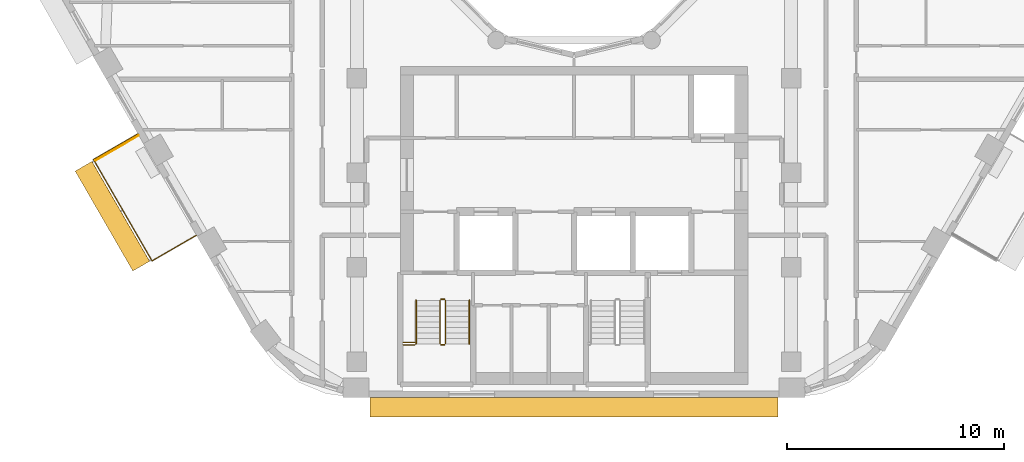
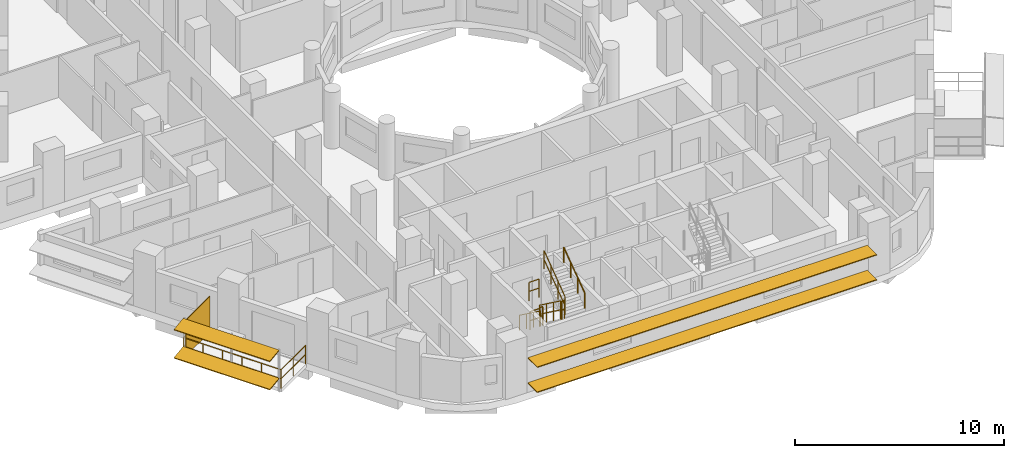
# One storey, part 14 of 18: 9 railings, 5 shading devices.
"""IFC4 building model written with IfcOpenShell, lengths in metres."""

import ifcopenshell
import ifcopenshell.guid

model = None  # the IFC model being written
_history = None  # IfcOwnerHistory: only IFC2X3 demands one
_inside = {}  # id of a spatial element -> (the spatial element, [elements in it])
_under = {}  # id of a project, library or spatial element -> (it, [spatial elements below it])
_declared = {}  # id of a project -> (the project, [libraries it declares])
_typed = {}  # id of a type object -> (the type object, [elements of that type])
_made_of = {}  # id of a material, layer set ... -> (it, [elements and type objects made of it])


def new_model(schema):
    """Start an empty IFC model of exactly this schema.

    Asked for "IFC4X3", IfcOpenShell would pick the latest addendum, in which some entities
    have other attributes; the version numbers below select the first issue.
    IFC2X3 requires an IfcOwnerHistory on every rooted entity: one is made here for all.
    """
    global model, _history
    if schema == "IFC4X3":
        model = ifcopenshell.file(schema_version=(4, 3, 0, 0))
    else:
        model = ifcopenshell.file(schema=schema)
    _inside.clear()
    _under.clear()
    _declared.clear()
    _typed.clear()
    _made_of.clear()
    _history = None
    if model.schema == "IFC2X3":
        org = make("IfcOrganization", Name="unknown")
        user = make(
            "IfcPersonAndOrganization",
            ThePerson=make("IfcPerson", FamilyName="unknown"),
            TheOrganization=org,
        )
        app = make(
            "IfcApplication",
            ApplicationDeveloper=org,
            Version="unknown",
            ApplicationFullName="unknown",
            ApplicationIdentifier="unknown",
        )
        _history = make(
            "IfcOwnerHistory",
            OwningUser=user,
            OwningApplication=app,
            ChangeAction="ADDED",
            CreationDate=0,
        )
    return model


def make(cls, **values):
    """One entity of the class cls with the attributes given. An attribute that is None is left unset."""
    return model.create_entity(
        cls, **{name: value for name, value in values.items() if value is not None}
    )


def rooted(cls, **values):
    """An entity with a GlobalId (a new one), such as an element, a storey or a relation."""
    return make(cls, GlobalId=ifcopenshell.guid.new(), OwnerHistory=_history, **values)


def si_unit(unit_type, name, prefix=None):
    """IfcSIUnit, for example si_unit("LENGTHUNIT", "METRE", prefix="MILLI")."""
    return make("IfcSIUnit", UnitType=unit_type, Prefix=prefix, Name=name)


def assignment(units):
    """IfcUnitAssignment: the units of a project."""
    return None if units is None else make("IfcUnitAssignment", Units=units)


def point(xyz):
    """IfcCartesianPoint."""
    return None if xyz is None else make("IfcCartesianPoint", Coordinates=xyz)


def direction(xyz):
    """IfcDirection."""
    return None if xyz is None else make("IfcDirection", DirectionRatios=xyz)


def frame(location, z_axis=None, x_axis=None):
    """IfcAxis2Placement3D, a coordinate frame: its origin and axes. An axis left out is left unset."""
    return make(
        "IfcAxis2Placement3D",
        Location=point(location),
        Axis=direction(z_axis),
        RefDirection=direction(x_axis),
    )


def frame_2d(location, x_axis=None):
    """IfcAxis2Placement2D, a coordinate frame in the plane: its origin and x axis."""
    return make(
        "IfcAxis2Placement2D", Location=point(location), RefDirection=direction(x_axis)
    )


def origin():
    """The frame at (0, 0, 0) with its axes left unset."""
    return frame((0.0, 0.0, 0.0))


def origin_2d():
    """The frame at (0, 0) in the plane with its x axis left unset."""
    return frame_2d((0.0, 0.0))


def place(relative_to, where):
    """IfcLocalPlacement: puts the frame where relative to a parent placement (None: the world)."""
    return make(
        "IfcLocalPlacement", PlacementRelTo=relative_to, RelativePlacement=where
    )


def context(
    kind, dimensions, precision=None, world=None, true_north=None, identifier=None
):
    """IfcGeometricRepresentationContext, for example the 3D "Model" context."""
    return make(
        "IfcGeometricRepresentationContext",
        ContextIdentifier=identifier,
        ContextType=kind,
        CoordinateSpaceDimension=dimensions,
        Precision=precision,
        WorldCoordinateSystem=world,
        TrueNorth=true_north,
    )


def subcontext(parent, identifier, kind, view, scale=None):
    """IfcGeometricRepresentationSubContext, for example "Body" below "Model"."""
    return make(
        "IfcGeometricRepresentationSubContext",
        ContextIdentifier=identifier,
        ContextType=kind,
        ParentContext=parent,
        TargetScale=scale,
        TargetView=view,
    )


def project(units=None, contexts=None):
    """IfcProject with its units and contexts."""
    return rooted(
        "IfcProject",
        Name="project",
        RepresentationContexts=contexts,
        UnitsInContext=assignment(units),
    )


def spatial(cls, under=None, at=None, **own):
    """A site, building, storey or space (cls), placed at a placement, below another one or the project."""
    s = rooted(cls, ObjectPlacement=at, **own)
    if under is not None:
        _under.setdefault(under.id(), (under, []))[1].append(s)
    return s


def profile(cls, at=None, kind="AREA", **sizes):
    """A parametric profile (cls). Its sizes go by their IFC names, for example OverallWidth=200.0."""
    return make(cls, ProfileType=kind, Position=at, **sizes)


def rectangle(**sizes):
    """IfcRectangleProfileDef."""
    return profile("IfcRectangleProfileDef", **sizes)


def circle(**sizes):
    """IfcCircleProfileDef."""
    return profile("IfcCircleProfileDef", **sizes)


def extrude(swept, where, along, depth):
    """IfcExtrudedAreaSolid: the profile swept, set in the frame where, extruded along a direction by depth."""
    return make(
        "IfcExtrudedAreaSolid",
        SweptArea=swept,
        Position=where,
        ExtrudedDirection=direction(along),
        Depth=depth,
    )


def shape(context_of_items, identifier, shape_type, items):
    """IfcShapeRepresentation: the items that make up one representation, for example the "Body"."""
    return make(
        "IfcShapeRepresentation",
        ContextOfItems=context_of_items,
        RepresentationIdentifier=identifier,
        RepresentationType=shape_type,
        Items=items,
    )


def material(Name=None, Category=None):
    """IfcMaterial."""
    return make("IfcMaterial", Name=Name, Category=Category)


def layer(
    of_material, thickness, ventilated=None, Name=None, Category=None, Priority=None
):
    """IfcMaterialLayer: one layer of a wall or slab, of a material (None: an air gap)."""
    return make(
        "IfcMaterialLayer",
        Material=of_material,
        LayerThickness=thickness,
        IsVentilated=ventilated,
        Name=Name,
        Category=Category,
        Priority=Priority,
    )


def layer_set(layers, Name=None):
    """IfcMaterialLayerSet."""
    return make("IfcMaterialLayerSet", MaterialLayers=layers, LayerSetName=Name)


def material_profile(
    of_material, cross_section, Name=None, Category=None, Priority=None
):
    """IfcMaterialProfile: a cross section and its material."""
    return make(
        "IfcMaterialProfile",
        Name=Name,
        Material=of_material,
        Profile=cross_section,
        Priority=Priority,
        Category=Category,
    )


def profile_set(profiles, Name=None, composite=None):
    """IfcMaterialProfileSet."""
    return make(
        "IfcMaterialProfileSet",
        Name=Name,
        MaterialProfiles=profiles,
        CompositeProfile=composite,
    )


def made_of(thing, what):
    """Note that an element or type object is made of a material, layer set ...; save() writes the relation."""
    if what is not None:
        _made_of.setdefault(what.id(), (what, []))[1].append(thing)
    return thing


def type_object(cls, material=None, **own):
    """A type object (cls), such as IfcWallType, which elements share."""
    return made_of(rooted(cls, **own), material)


def element(
    cls,
    number,
    at=None,
    inside=None,
    cuts=None,
    type_object=None,
    material=None,
    context=None,
    identifier="Body",
    shape_type=None,
    held_by="IfcProductDefinitionShape",
    body=None,
    shapes=None,
    **own,
):
    """One element of the class cls, such as IfcWall. Its Tag is "e" and its number.

    at: its placement. inside: the storey or other place that contains it. cuts: it is an
    opening in that element (IfcRelVoidsElement). A single representation is given by context,
    identifier, shape_type and body (its items); several are given by shapes. held_by: the class
    of the entity that holds the representations. save() writes the other relations.
    """
    e = rooted(cls, Tag="e%d" % number, ObjectPlacement=at, **own)
    if body is not None:
        shapes = [shape(context, identifier, shape_type, body)]
    if shapes is not None:
        e.Representation = make(held_by, Representations=shapes)
    if inside is not None:
        _inside.setdefault(inside.id(), (inside, []))[1].append(e)
    if cuts is not None:
        rooted(
            "IfcRelVoidsElement", RelatingBuildingElement=cuts, RelatedOpeningElement=e
        )
    if type_object is not None:
        _typed.setdefault(type_object.id(), (type_object, []))[1].append(e)
    return made_of(e, material)


def aggregate(whole, parts):
    """IfcRelAggregates: a whole, such as a stair, and the parts it consists of."""
    return rooted("IfcRelAggregates", RelatingObject=whole, RelatedObjects=parts)


def save(model, path):
    """Write the relations noted so far, then the file.

    IfcRelAggregates (storeys below a building ...), IfcRelContainedInSpatialStructure (elements
    in a storey), IfcRelDefinesByType, IfcRelAssociatesMaterial and IfcRelDeclares: one each for
    every whole, place, type object, material and project.
    """
    for whole, parts in _under.values():
        aggregate(whole, parts)
    for where, things in _inside.values():
        rooted(
            "IfcRelContainedInSpatialStructure",
            RelatedElements=things,
            RelatingStructure=where,
        )
    for kind, things in _typed.values():
        rooted("IfcRelDefinesByType", RelatedObjects=things, RelatingType=kind)
    for what, things in _made_of.values():
        rooted("IfcRelAssociatesMaterial", RelatedObjects=things, RelatingMaterial=what)
    for by, libraries in _declared.values():
        rooted("IfcRelDeclares", RelatingContext=by, RelatedDefinitions=libraries)
    model.write(path)


model = new_model("IFC4")

# Units and contexts
model_context = context("Model", 3, precision=1e-05, world=origin(), true_north=direction((0.0, 1.0)))
body_context = subcontext(model_context, "Body", "Model", "MODEL_VIEW")
ifc_project = project(units=[si_unit("LENGTHUNIT", "METRE"), si_unit("AREAUNIT", "SQUARE_METRE"), si_unit("VOLUMEUNIT", "CUBIC_METRE"), si_unit("PLANEANGLEUNIT", "RADIAN"), si_unit("MASSUNIT", "GRAM", prefix="KILO")], contexts=[model_context])

# Site, building, storey
site_placement = place(None, origin())
site = spatial("IfcSite", under=ifc_project, at=site_placement, CompositionType="ELEMENT")
building_placement = place(site_placement, origin())
building = spatial("IfcBuilding", under=site, at=building_placement, Name="Nakaniwa Court", CompositionType="ELEMENT")
storey_placement = place(building_placement, frame((0.0, 0.0, 176.699951171875)))
storey = spatial("IfcBuildingStorey", under=building, at=storey_placement, Name="L45", CompositionType="ELEMENT", Elevation=176.699951171875)

# Railing
ifc_material_1 = material(Name="Black powder-coated steel flat bar balustrade S275", Category="steel")
railing_type_1 = type_object("IfcRailingType", Name="Black metal balcony guard 1100", PredefinedType="GUARDRAIL", material=ifc_material_1)
railing_1_placement = place(storey_placement, frame((59.913818359375, 69.490234375, -0.050048828125)))
element("IfcRailing", 1, at=railing_1_placement, inside=storey, type_object=railing_type_1, Name="L45 balcony guard 01", PredefinedType="GUARDRAIL", context=body_context, shape_type="SweptSolid", body=[
    extrude(circle(Radius=0.02392578125, at=origin_2d()), frame((0.0, 0.0, 1.076171875), z_axis=(-0.866025363618, -0.50000006957, 0.0), x_axis=(0.50000006957, -0.866025363618, 0.0)), (0.0, 0.0, 1.0), 2.35986328125),
    extrude(circle(Radius=0.02392578125, at=origin_2d()), frame((0.0, 0.0, 0.550048828125), z_axis=(-0.866025363618, -0.50000006957, 0.0), x_axis=(0.50000006957, -0.866025363618, 0.0)), (0.0, 0.0, 1.0), 2.35986328125),
    extrude(circle(Radius=0.02392578125, at=origin_2d()), frame((-2.043701171875, -1.179931640625, 1.076171875), z_axis=(0.499982522799, -0.866035494016, 0.0), x_axis=(0.866035494016, 0.499982522799, 0.0)), (0.0, 0.0, 1.0), 5.390380859375),
    extrude(circle(Radius=0.02392578125, at=origin_2d()), frame((-2.043701171875, -1.179931640625, 0.550048828125), z_axis=(0.499982522799, -0.866035494016, 0.0), x_axis=(0.866035494016, 0.499982522799, 0.0)), (0.0, 0.0, 1.0), 5.390380859375),
    extrude(circle(Radius=0.02392578125, at=origin_2d()), frame((0.6513671875, -5.84814453125, 1.076171875), z_axis=(0.866051224006, 0.499955275397, 0.0), x_axis=(-0.499955275397, 0.866051224006, 0.0)), (0.0, 0.0, 1.0), 2.360107421875),
    extrude(circle(Radius=0.02392578125, at=origin_2d()), frame((0.6513671875, -5.84814453125, 0.550048828125), z_axis=(0.866051224006, 0.499955275397, 0.0), x_axis=(-0.499955275397, 0.866051224006, 0.0)), (0.0, 0.0, 1.0), 2.360107421875),
    extrude(circle(Radius=0.02099609375, at=origin_2d()), origin(), (0.0, 0.0, 1.0), 1.052001953125),
    extrude(circle(Radius=0.02099609375, at=origin_2d()), frame((-1.02197265625, -0.58984375, 0.0)), (0.0, 0.0, 1.0), 1.052001953125),
    extrude(circle(Radius=0.02099609375, at=origin_2d()), frame((-2.043701171875, -1.179931640625, 0.0)), (0.0, 0.0, 1.0), 1.052001953125),
    extrude(circle(Radius=0.02099609375, at=origin_2d()), frame((-1.504638671875, -2.113525390625, 0.0)), (0.0, 0.0, 1.0), 1.052001953125),
    extrude(circle(Radius=0.02099609375, at=origin_2d()), frame((-0.965576171875, -3.047119140625, 0.0)), (0.0, 0.0, 1.0), 1.052001953125),
    extrude(circle(Radius=0.02099609375, at=origin_2d()), frame((-0.4267578125, -3.98095703125, 0.0)), (0.0, 0.0, 1.0), 1.052001953125),
    extrude(circle(Radius=0.02099609375, at=origin_2d()), frame((0.1123046875, -4.91455078125, 0.0)), (0.0, 0.0, 1.0), 1.052001953125),
    extrude(circle(Radius=0.02099609375, at=origin_2d()), frame((0.6513671875, -5.84814453125, 0.0)), (0.0, 0.0, 1.0), 1.052001953125),
    extrude(circle(Radius=0.02099609375, at=origin_2d()), frame((1.67333984375, -5.25830078125, 0.0)), (0.0, 0.0, 1.0), 1.052001953125),
    extrude(circle(Radius=0.02099609375, at=origin_2d()), frame((2.6953125, -4.668212890625, 0.0)), (0.0, 0.0, 1.0), 1.052001953125),
])

# Shading devices
ifc_material_2 = material(Name="Black powder-coated aluminium slat screen", Category="aluminium")
ifc_layer = layer(ifc_material_2, 0.0400390625)
ifc_layer_set = layer_set([ifc_layer], Name="Black powder-coated aluminium slat screen")
shading_device_type_1 = type_object("IfcShadingDeviceType", Name="Koshi screen black metal", PredefinedType="USERDEFINED", material=ifc_layer_set)
shading_device_placement = place(storey_placement, frame((58.95361328125, 68.843505859375, -0.050048828125), z_axis=(0.0, 0.0, 1.0), x_axis=(0.500016626402, -0.866015804314, 0.0)))
element("IfcShadingDevice", 2, at=shading_device_placement, inside=storey, type_object=shading_device_type_1, Name="L45 balcony SCREEN 01 W", ObjectType="KOSHI SCREEN", PredefinedType="USERDEFINED", context=body_context, shape_type="SweptSolid", body=[
    extrude(rectangle(XDim=0.0400390625, YDim=2.31005859375, at=origin_2d()), origin(), (0.0, 0.0, 1.0), 2.10009765625),
])
ifc_material_3 = material(Name="Perforated charcoal ceramic louvre blade")
ifc_material_profile = material_profile(ifc_material_3, rectangle(XDim=0.89990234375, YDim=0.050048828125, at=origin_2d()), Name="Perforated ceramic louvre blade")
ifc_profile_set = profile_set([ifc_material_profile], Name="Perforated charcoal ceramic louvre blade")
shading_device_type_2 = type_object("IfcShadingDeviceType", Name="Perforated ceramic louvre blade", PredefinedType="JALOUSIE", material=ifc_profile_set)
for number, where, z_axis, x_axis, name in (
    (3, (57.414306640625, 68.0009765625, 0.5), (0.49999571177, -0.866027879581, 0.0), (0.858618891017, 0.495718179143, 0.13052619222), "L45 perforated ceramic louvre blade 01 1"),
    (4, (57.414306640625, 68.0009765625, 2.150146484375), (0.49999571177, -0.866027879581, 0.0), (0.858618891017, 0.495718179143, 0.13052619222), "L45 perforated ceramic louvre blade 01 2"),
):
    element("IfcShadingDevice", number, at=place(storey_placement, frame(where, z_axis=z_axis, x_axis=x_axis)), inside=storey, type_object=shading_device_type_2, Name=name, PredefinedType="JALOUSIE", context=body_context, shape_type="SweptSolid", body=[
        extrude(rectangle(XDim=0.89990234375, YDim=0.050048828125, at=origin_2d()), origin(), (0.0, 0.0, 1.0), 5.310546875),
    ])
for number, where, z_axis, x_axis, name in (
    (5, (70.6005859375, 56.89990234375, 0.550048828125), (1.0, 0.0, 0.0), (0.0, 1.0, 0.0), "L45 perforated ceramic louvre blade w26 1"),
    (6, (70.6005859375, 56.89990234375, 2.01513671875), (1.0, 0.0, 0.0), (0.0, 1.0, 0.0), "L45 perforated ceramic louvre blade w26 2"),
):
    element("IfcShadingDevice", number, at=place(storey_placement, frame(where, z_axis=z_axis, x_axis=x_axis)), inside=storey, type_object=shading_device_type_2, Name=name, PredefinedType="JALOUSIE", context=body_context, shape_type="SweptSolid", body=[
        extrude(rectangle(XDim=0.89990234375, YDim=0.050048828125, at=origin_2d()), origin(), (0.0, 0.0, 1.0), 18.79296875),
    ])

# Railings
ifc_material_4 = material(Name="Black powder coated steel guard", Category="steel")
railing_type_2 = type_object("IfcRailingType", Name="Stair guard 1100", PredefinedType="GUARDRAIL", material=ifc_material_4)
railing_2_placement = place(storey_placement, frame((73.824951171875, 61.824951171875, 0.183349609375)))
element("IfcRailing", 7, at=railing_2_placement, inside=storey, type_object=railing_type_2, Name="L45 ST3 stair guard 1", PredefinedType="GUARDRAIL", context=body_context, shape_type="SweptSolid", body=[
    extrude(circle(Radius=0.02392578125, at=origin_2d()), frame((0.0, 0.0, 1.076171875), z_axis=(0.0, -0.806379959628, 0.591397802423), x_axis=(1.0, 0.0, 0.0)), (0.0, 0.0, 1.0), 2.480224609375),
    extrude(circle(Radius=0.02392578125, at=origin_2d()), frame((0.0, 0.0, 0.550048828125), z_axis=(0.0, -0.806379959628, 0.591397802423), x_axis=(1.0, 0.0, 0.0)), (0.0, 0.0, 1.0), 2.480224609375),
    extrude(circle(Radius=0.02099609375, at=origin_2d()), origin(), (0.0, 0.0, 1.0), 1.052001953125),
    extrude(circle(Radius=0.02099609375, at=origin_2d()), frame((0.0, -0.666748046875, 0.489013671875)), (0.0, 0.0, 1.0), 1.052001953125),
    extrude(circle(Radius=0.02099609375, at=origin_2d()), frame((0.0, -1.333251953125, 0.977783203125)), (0.0, 0.0, 1.0), 1.052001953125),
    extrude(circle(Radius=0.02099609375, at=origin_2d()), frame((0.0, -2.0, 1.466796875)), (0.0, 0.0, 1.0), 1.052001953125),
])
railing_3_placement = place(storey_placement, frame((73.875, 59.77490234375, 1.650146484375)))
element("IfcRailing", 8, at=railing_3_placement, inside=storey, type_object=railing_type_2, Name="L45 ST3 stair guard 2", PredefinedType="GUARDRAIL", context=body_context, shape_type="SweptSolid", body=[
    extrude(circle(Radius=0.02392578125, at=origin_2d()), frame((0.0, 0.0, 1.076171875), z_axis=(1.0, 0.0, 0.0), x_axis=(0.0, 1.0, 0.0)), (0.0, 0.0, 1.0), 0.14990234375),
    extrude(circle(Radius=0.02392578125, at=origin_2d()), frame((0.0, 0.0, 0.550048828125), z_axis=(1.0, 0.0, 0.0), x_axis=(0.0, 1.0, 0.0)), (0.0, 0.0, 1.0), 0.14990234375),
    extrude(circle(Radius=0.02099609375, at=origin_2d()), origin(), (0.0, 0.0, 1.0), 1.052001953125),
    extrude(circle(Radius=0.02099609375, at=origin_2d()), frame((0.14990234375, 0.0, 0.0)), (0.0, 0.0, 1.0), 1.052001953125),
])
railing_4_placement = place(storey_placement, frame((74.074951171875, 59.824951171875, 1.83349609375)))
element("IfcRailing", 9, at=railing_4_placement, inside=storey, type_object=railing_type_2, Name="L45 ST3 stair guard 3", PredefinedType="GUARDRAIL", context=body_context, shape_type="SweptSolid", body=[
    extrude(circle(Radius=0.02392578125, at=origin_2d()), frame((0.0, 0.0, 1.076171875), z_axis=(0.0, 0.806426902644, 0.591333789573), x_axis=(-1.0, 0.0, 0.0)), (0.0, 0.0, 1.0), 2.47998046875),
    extrude(circle(Radius=0.02392578125, at=origin_2d()), frame((0.0, 0.0, 0.550048828125), z_axis=(0.0, 0.806426902644, 0.591333789573), x_axis=(-1.0, 0.0, 0.0)), (0.0, 0.0, 1.0), 2.47998046875),
    extrude(circle(Radius=0.02099609375, at=origin_2d()), origin(), (0.0, 0.0, 1.0), 1.052001953125),
    extrude(circle(Radius=0.02099609375, at=origin_2d()), frame((0.0, 0.666748046875, 0.48876953125)), (0.0, 0.0, 1.0), 1.052001953125),
    extrude(circle(Radius=0.02099609375, at=origin_2d()), frame((0.0, 1.333251953125, 0.977783203125)), (0.0, 0.0, 1.0), 1.052001953125),
    extrude(circle(Radius=0.02099609375, at=origin_2d()), frame((0.0, 2.0, 1.466552734375)), (0.0, 0.0, 1.0), 1.052001953125),
])
railing_5_placement = place(storey_placement, frame((73.875, 61.875, 0.0)))
element("IfcRailing", 10, at=railing_5_placement, inside=storey, type_object=railing_type_2, Name="L45 ST3 stair guard 4", PredefinedType="GUARDRAIL", context=body_context, shape_type="SweptSolid", body=[
    extrude(circle(Radius=0.02392578125, at=origin_2d()), frame((0.0, 0.0, 1.076171875), z_axis=(1.0, 0.0, 0.0), x_axis=(0.0, 1.0, 0.0)), (0.0, 0.0, 1.0), 0.14990234375),
    extrude(circle(Radius=0.02392578125, at=origin_2d()), frame((0.0, 0.0, 0.550048828125), z_axis=(1.0, 0.0, 0.0), x_axis=(0.0, 1.0, 0.0)), (0.0, 0.0, 1.0), 0.14990234375),
    extrude(circle(Radius=0.02099609375, at=origin_2d()), origin(), (0.0, 0.0, 1.0), 1.052001953125),
    extrude(circle(Radius=0.02099609375, at=origin_2d()), frame((0.14990234375, 0.0, 0.0)), (0.0, 0.0, 1.0), 1.052001953125),
])
for number, where, name in (
    (11, (72.125, 59.77490234375, 1.650146484375), "L45 ST3 landing side guard 1W"),
    (12, (72.125, 59.875, 3.300048828125), "L45 ST3 floor edge guard 1W"),
):
    element("IfcRailing", number, at=place(storey_placement, frame(where)), inside=storey, type_object=railing_type_2, Name=name, PredefinedType="GUARDRAIL", context=body_context, shape_type="SweptSolid", body=[
        extrude(circle(Radius=0.02392578125, at=origin_2d()), frame((0.0, 0.0, 1.076171875), z_axis=(1.0, 0.0, 0.0), x_axis=(0.0, 1.0, 0.0)), (0.0, 0.0, 1.0), 0.550048828125),
        extrude(circle(Radius=0.02392578125, at=origin_2d()), frame((0.0, 0.0, 0.550048828125), z_axis=(1.0, 0.0, 0.0), x_axis=(0.0, 1.0, 0.0)), (0.0, 0.0, 1.0), 0.550048828125),
        extrude(circle(Radius=0.02099609375, at=origin_2d()), origin(), (0.0, 0.0, 1.0), 1.052001953125),
        extrude(circle(Radius=0.02099609375, at=origin_2d()), frame((0.550048828125, 0.0, 0.0)), (0.0, 0.0, 1.0), 1.052001953125),
    ])
ifc_material_5 = material(Name="Black powder coated steel handrail", Category="steel")
railing_type_3 = type_object("IfcRailingType", Name="Stair handrail 900", PredefinedType="HANDRAIL", material=ifc_material_5)
railing_6_placement = place(storey_placement, frame((72.72509765625, 61.824951171875, 0.183349609375)))
element("IfcRailing", 13, at=railing_6_placement, inside=storey, type_object=railing_type_3, Name="L45 ST3 stair handrail 1", PredefinedType="HANDRAIL", context=body_context, shape_type="SweptSolid", body=[
    extrude(circle(Radius=0.02392578125, at=origin_2d()), frame((0.0, 0.0, 0.8759765625), z_axis=(0.0, -0.806379959628, 0.591397802423), x_axis=(1.0, 0.0, 0.0)), (0.0, 0.0, 1.0), 2.480224609375),
    extrude(circle(Radius=0.02099609375, at=origin_2d()), origin(), (0.0, 0.0, 1.0), 0.851806640625),
    extrude(circle(Radius=0.02099609375, at=origin_2d()), frame((0.0, -0.666748046875, 0.489013671875)), (0.0, 0.0, 1.0), 0.851806640625),
    extrude(circle(Radius=0.02099609375, at=origin_2d()), frame((0.0, -1.333251953125, 0.977783203125)), (0.0, 0.0, 1.0), 0.851806640625),
    extrude(circle(Radius=0.02099609375, at=origin_2d()), frame((0.0, -2.0, 1.466796875)), (0.0, 0.0, 1.0), 0.851806640625),
])
railing_7_placement = place(storey_placement, frame((75.175048828125, 59.824951171875, 1.83349609375)))
element("IfcRailing", 14, at=railing_7_placement, inside=storey, type_object=railing_type_3, Name="L45 ST3 stair handrail 2", PredefinedType="HANDRAIL", context=body_context, shape_type="SweptSolid", body=[
    extrude(circle(Radius=0.02392578125, at=origin_2d()), frame((0.0, 0.0, 0.8759765625), z_axis=(0.0, 0.806426902644, 0.591333789573), x_axis=(-1.0, 0.0, 0.0)), (0.0, 0.0, 1.0), 2.47998046875),
    extrude(circle(Radius=0.02099609375, at=origin_2d()), origin(), (0.0, 0.0, 1.0), 0.851806640625),
    extrude(circle(Radius=0.02099609375, at=origin_2d()), frame((0.0, 0.666748046875, 0.48876953125)), (0.0, 0.0, 1.0), 0.851806640625),
    extrude(circle(Radius=0.02099609375, at=origin_2d()), frame((0.0, 1.333251953125, 0.977783203125)), (0.0, 0.0, 1.0), 0.851806640625),
    extrude(circle(Radius=0.02099609375, at=origin_2d()), frame((0.0, 2.0, 1.466552734375)), (0.0, 0.0, 1.0), 0.851806640625),
])

save(model, "model.ifc")
